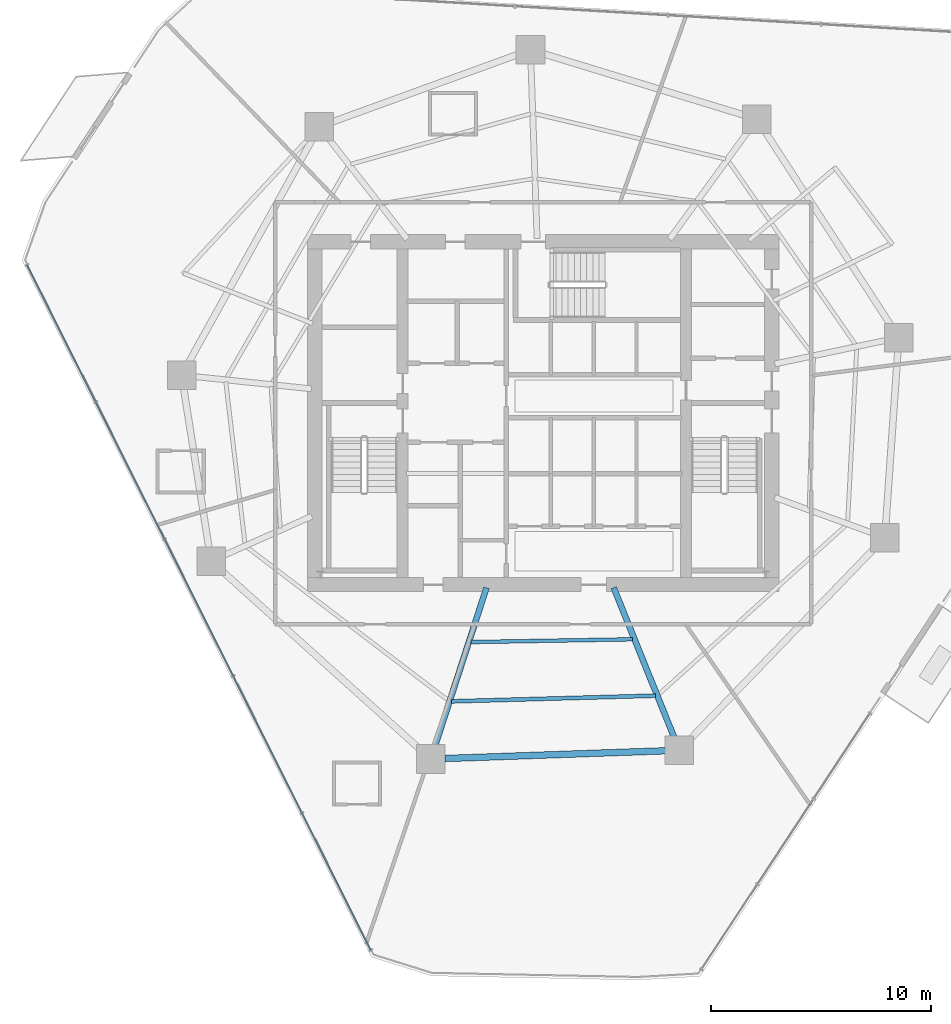
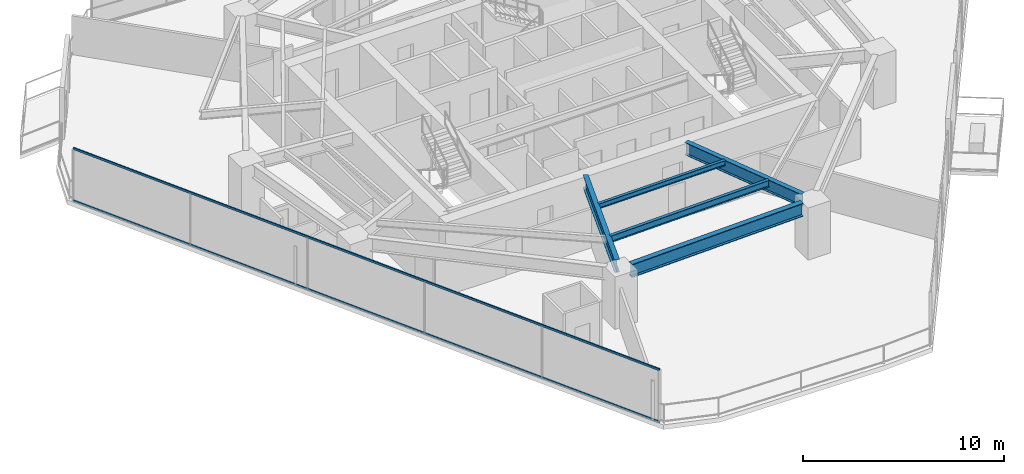
# One storey, part 6 of 28: 5 beams, 2 members, 1 element without a shape of its own.
"""IFC4 building model written with IfcOpenShell, lengths in metres."""

from ifc_helpers import new_model, si_unit, direction, frame, origin, origin_2d, place, context, subcontext, project, spatial, hollow_rectangle, i_section, extrude, material, layer, layer_set, material_profile, profile_set, type_object, element, aggregate, save


model = new_model("IFC4")

# Units and contexts
model_context = context("Model", 3, precision=1e-05, world=origin(), true_north=direction((0.0, 1.0)))
body_context = subcontext(model_context, "Body", "Model", "MODEL_VIEW")
ifc_project = project(units=[si_unit("LENGTHUNIT", "METRE"), si_unit("AREAUNIT", "SQUARE_METRE"), si_unit("VOLUMEUNIT", "CUBIC_METRE"), si_unit("PLANEANGLEUNIT", "RADIAN"), si_unit("MASSUNIT", "GRAM", prefix="KILO")], contexts=[model_context])

# Site, building, storey
site_placement = place(None, origin())
site = spatial("IfcSite", under=ifc_project, at=site_placement, CompositionType="ELEMENT")
building_placement = place(site_placement, origin())
building = spatial("IfcBuilding", under=site, at=building_placement, Name="Qarnah Convention Tower", CompositionType="ELEMENT")
storey_placement = place(building_placement, frame((0.0, 0.0, 54.60009765625)))
storey = spatial("IfcBuildingStorey", under=building, at=storey_placement, Name="L13", CompositionType="ELEMENT", Elevation=54.60009765625)

# Beams
ifc_material_1 = material(Name="Structural steel S355JR", Category="steel")
ifc_material_profile_1 = material_profile(ifc_material_1, i_section(OverallWidth=0.166015625, OverallDepth=0.31201171875, WebThickness=0.007080078125, FlangeThickness=0.010986328125, at=origin_2d()), Name="W310X45")
ifc_profile_set_1 = profile_set([ifc_material_profile_1], Name="Structural steel S355JR")
beam_type_1 = type_object("IfcBeamType", Name="BM-JST-W310", PredefinedType="JOIST", material=ifc_profile_set_1)
beam_1_placement = place(storey_placement, frame((33.905029296875, 15.98193359375, 3.013916015625), z_axis=(0.9998536677, 0.017106816955, 0.0), x_axis=(-0.017106816955, 0.9998536677, 0.0)))
element("IfcBeam", 1, at=beam_1_placement, inside=storey, type_object=beam_type_1, Name="L13 joist BM-L13-IJST-07", PredefinedType="JOIST", context=body_context, shape_type="SweptSolid", body=[
    extrude(i_section(OverallWidth=0.166015625, OverallDepth=0.31201171875, WebThickness=0.007080078125, FlangeThickness=0.010986328125, at=origin_2d()), origin(), (0.0, 0.0, 1.0), 7.364013671875),
])
ifc_material_profile_2 = material_profile(ifc_material_1, i_section(OverallWidth=0.177978515625, OverallDepth=0.407958984375, WebThickness=0.008056640625, FlangeThickness=0.012939453125, at=origin_2d()), Name="W410X60")
ifc_profile_set_2 = profile_set([ifc_material_profile_2], Name="Structural steel S355JR")
beam_type_2 = type_object("IfcBeamType", Name="BM-JST-W410", PredefinedType="JOIST", material=ifc_profile_set_2)
beam_2_placement = place(storey_placement, frame((33.027099609375, 13.282958984375, 2.9658203125), z_axis=(0.999610394183, 0.027911643461, 0.0), x_axis=(-0.027911643461, 0.999610394183, 0.0)))
element("IfcBeam", 2, at=beam_2_placement, inside=storey, type_object=beam_type_2, Name="L13 joist BM-L13-SJST-07", PredefinedType="JOIST", context=body_context, shape_type="SweptSolid", body=[
    extrude(i_section(OverallWidth=0.177978515625, OverallDepth=0.407958984375, WebThickness=0.008056640625, FlangeThickness=0.012939453125, at=origin_2d()), origin(), (0.0, 0.0, 1.0), 9.280517578125),
])
ifc_material_profile_3 = material_profile(ifc_material_1, i_section(OverallWidth=0.26806640625, OverallDepth=0.760009765625, WebThickness=0.014892578125, FlangeThickness=0.02197265625, at=origin_2d()), Name="W760X185")
ifc_profile_set_3 = profile_set([ifc_material_profile_3], Name="Structural steel S355JR")
beam_type_3 = type_object("IfcBeamType", Name="BM-RAD-W760", PredefinedType="BEAM", material=ifc_profile_set_3)
beam_3_placement = place(storey_placement, frame((34.6201171875, 18.45703125, 2.789794921875), z_axis=(-0.309057625925, -0.951043313345, 0.0), x_axis=(0.951043313345, -0.309057625925, 0.0)))
element("IfcBeam", 3, at=beam_3_placement, inside=storey, type_object=beam_type_3, Name="L13 beam BM-L13-RAD-07", PredefinedType="BEAM", context=body_context, shape_type="SweptSolid", body=[
    extrude(i_section(OverallWidth=0.26806640625, OverallDepth=0.760009765625, WebThickness=0.014892578125, FlangeThickness=0.02197265625, at=origin_2d()), origin(), (0.0, 0.0, 1.0), 7.568603515625),
])
beam_4_placement = place(storey_placement, frame((40.407958984375, 18.4609375, 2.789794921875), z_axis=(0.374586487969, -0.927191977441, 0.0), x_axis=(0.927191977441, 0.374586487969, 0.0)))
element("IfcBeam", 4, at=beam_4_placement, inside=storey, type_object=beam_type_3, Name="L13 beam BM-L13-RAD-08", PredefinedType="BEAM", context=body_context, shape_type="SweptSolid", body=[
    extrude(i_section(OverallWidth=0.26806640625, OverallDepth=0.760009765625, WebThickness=0.014892578125, FlangeThickness=0.02197265625, at=origin_2d()), origin(), (0.0, 0.0, 1.0), 7.357666015625),
])
ifc_material_profile_4 = material_profile(ifc_material_1, i_section(OverallWidth=0.300048828125, OverallDepth=0.800048828125, WebThickness=0.01806640625, FlangeThickness=0.032958984375, at=origin_2d()), Name="HEB800")
ifc_profile_set_4 = profile_set([ifc_material_profile_4], Name="Structural steel S355JR")
beam_type_4 = type_object("IfcBeamType", Name="BM-RING-HEB800", PredefinedType="BEAM", material=ifc_profile_set_4)
beam_5_placement = place(storey_placement, frame((32.72607421875, 10.681884765625, 2.77001953125), z_axis=(0.999388457365, 0.034967288783, 0.0), x_axis=(-0.034967288783, 0.999388457365, 0.0)))
element("IfcBeam", 5, at=beam_5_placement, inside=storey, type_object=beam_type_4, Name="L13 beam BM-L13-SPN-07", PredefinedType="BEAM", context=body_context, shape_type="SweptSolid", body=[
    extrude(i_section(OverallWidth=0.300048828125, OverallDepth=0.800048828125, WebThickness=0.01806640625, FlangeThickness=0.032958984375, at=origin_2d()), origin(), (0.0, 0.0, 1.0), 10.0400390625),
])

# Curtain wall, members
ifc_material_2 = material(Name="Tempered Low-E dark glass", Category="glass")
ifc_layer = layer(ifc_material_2, 0.16796875)
ifc_layer_set = layer_set([ifc_layer], Name="Tempered Low-E dark glass")
curtain_wall_type = type_object("IfcCurtainWallType", Name="CWS-01", PredefinedType="NOTDEFINED", material=ifc_layer_set)
curtain_wall_placement = place(storey_placement, origin())
curtain_wall = element("IfcCurtainWall", 6, at=curtain_wall_placement, inside=storey, type_object=curtain_wall_type, Name="L13 unitised curtain wall CW-L13-F2", PredefinedType="NOTDEFINED")
ifc_material_3 = material(Name="Black anodised aluminium", Category="aluminium")
ifc_material_profile_5 = material_profile(ifc_material_3, hollow_rectangle(XDim=0.06005859375, YDim=0.1298828125, WallThickness=0.00390625, at=origin_2d()), Name="TRN-60X130")
ifc_profile_set_5 = profile_set([ifc_material_profile_5], Name="Black anodised aluminium")
member_type = type_object("IfcMemberType", Name="TRN-T1", PredefinedType="USERDEFINED", material=ifc_profile_set_5)
member_1_placement = place(storey_placement, frame((29.35205078125, 1.9619140625, 0.0), z_axis=(-0.448383188068, 0.893841438208, 0.0), x_axis=(-0.893841438208, -0.448383188068, 0.0)))
member_1 = element("IfcMember", 7, at=member_1_placement, type_object=member_type, Name="CW-L13-F2 transom 1", ObjectType="TRANSOM", PredefinedType="USERDEFINED", context=body_context, shape_type="SweptSolid", body=[
    extrude(hollow_rectangle(XDim=0.06005859375, YDim=0.1298828125, WallThickness=0.00390625, at=origin_2d()), origin(), (0.0, 0.0, 1.0), 34.889892578125),
])
member_2_placement = place(storey_placement, frame((29.35205078125, 1.9619140625, 3.169921875), z_axis=(-0.448383188068, 0.893841438208, 0.0), x_axis=(-0.893841438208, -0.448383188068, 0.0)))
member_2 = element("IfcMember", 8, at=member_2_placement, type_object=member_type, Name="CW-L13-F2 transom 2", ObjectType="TRANSOM", PredefinedType="USERDEFINED", context=body_context, shape_type="SweptSolid", body=[
    extrude(hollow_rectangle(XDim=0.06005859375, YDim=0.1298828125, WallThickness=0.00390625, at=origin_2d()), origin(), (0.0, 0.0, 1.0), 34.889892578125),
])
aggregate(curtain_wall, [member_1, member_2])

save(model, "model.ifc")
